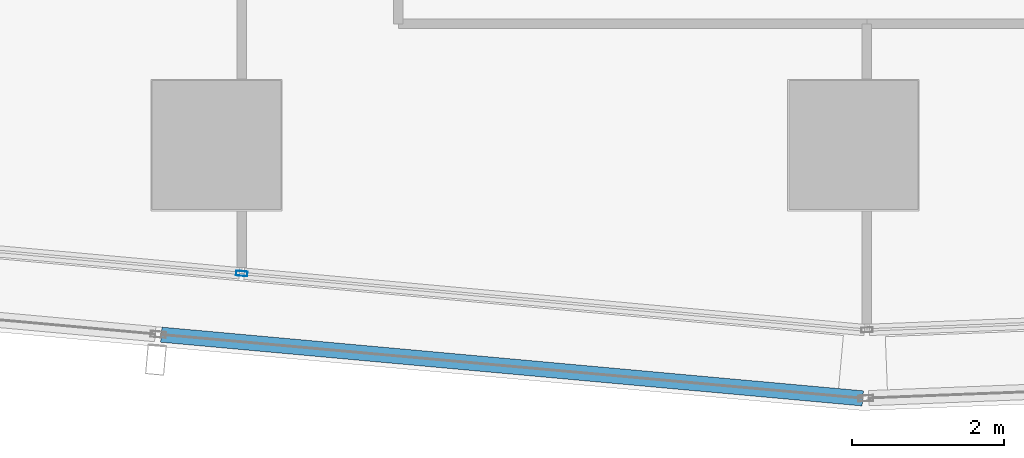
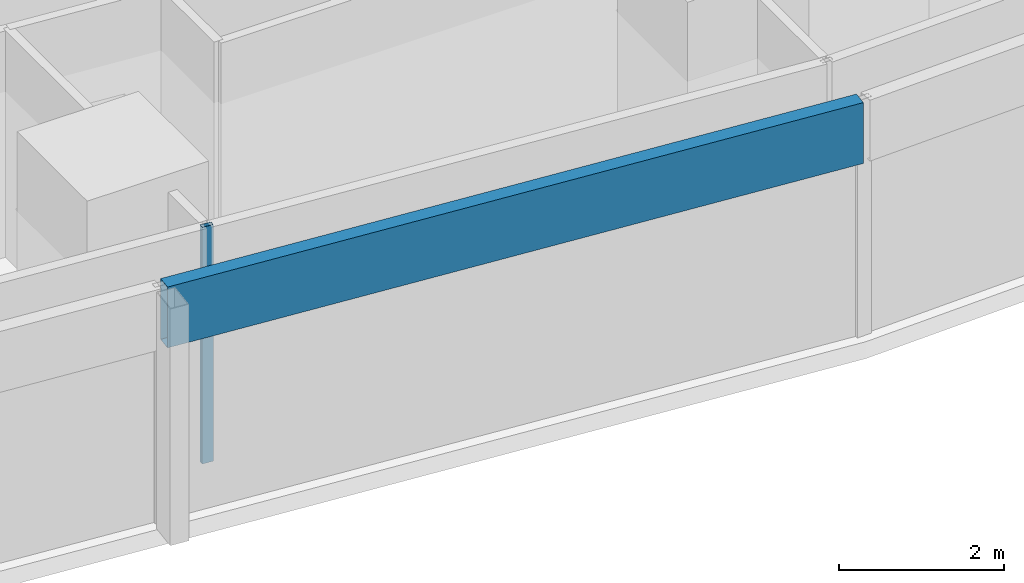
# One storey, part 3 of 40: 2 members, 2 elements without a shape of their own.
"""IFC4 building model written with IfcOpenShell, lengths in metres."""

from ifc_helpers import new_model, si_unit, direction, frame, origin, origin_2d, place, context, subcontext, project, spatial, hollow_rectangle, extrude, material, material_profile, profile_set, type_object, element, aggregate, save


model = new_model("IFC4")

# Units and contexts
model_context = context("Model", 3, precision=1e-05, world=origin(), true_north=direction((0.0, 1.0)))
body_context = subcontext(model_context, "Body", "Model", "MODEL_VIEW")
ifc_project = project(units=[si_unit("LENGTHUNIT", "METRE"), si_unit("AREAUNIT", "SQUARE_METRE"), si_unit("VOLUMEUNIT", "CUBIC_METRE"), si_unit("PLANEANGLEUNIT", "RADIAN"), si_unit("MASSUNIT", "GRAM", prefix="KILO")], contexts=[model_context])

# Site, building, storey
site_placement = place(None, origin())
site = spatial("IfcSite", under=ifc_project, at=site_placement, CompositionType="ELEMENT")
building_placement = place(site_placement, origin())
building = spatial("IfcBuilding", under=site, at=building_placement, Name="Rekha Terrace Tower", CompositionType="ELEMENT")
storey_placement = place(building_placement, frame((0.0, 0.0, 117.800048828125)))
storey = spatial("IfcBuildingStorey", under=building, at=storey_placement, Name="L29", CompositionType="ELEMENT", Elevation=117.800048828125)

# Curtain wall, member
ifc_material_1 = material(Name="Aluminium framing", Category="aluminium")
curtain_wall_type_1 = type_object("IfcCurtainWallType", Name="CW1 double skin inner glazing", PredefinedType="USERDEFINED", material=ifc_material_1)
curtain_wall_1_placement = place(storey_placement, origin())
curtain_wall_1 = element("IfcCurtainWall", 1, at=curtain_wall_1_placement, inside=storey, type_object=curtain_wall_type_1, Name="CW1 double skin inner glazing", ObjectType="DOUBLE SKIN INNER GLAZING", PredefinedType="USERDEFINED")
ifc_material_2 = material(Name="Aluminium mullion section", Category="aluminium")
ifc_material_profile_1 = material_profile(ifc_material_2, hollow_rectangle(XDim=0.06494140625, YDim=0.14990234375, WallThickness=0.00390625, at=origin_2d()), Name="AL RHS 65x150")
ifc_profile_set_1 = profile_set([ifc_material_profile_1], Name="Aluminium mullion section")
member_type_1 = type_object("IfcMemberType", Name="CW1 mullion RHS 65 x 150", PredefinedType="MULLION", material=ifc_profile_set_1)
member_1_placement = place(storey_placement, frame((17.13427734375, 15.107666015625, 0.0), z_axis=(0.0, 0.0, 1.0), x_axis=(0.090439811381, 0.995901923142, 0.0)))
member_1 = element("IfcMember", 2, at=member_1_placement, type_object=member_type_1, Name="CW1 mullion 2", PredefinedType="MULLION", context=body_context, shape_type="SweptSolid", body=[
    extrude(hollow_rectangle(XDim=0.06494140625, YDim=0.14990234375, WallThickness=0.00390625, at=origin_2d()), origin(), (0.0, 0.0, 1.0), 3.5),
])
aggregate(curtain_wall_1, [member_1])

curtain_wall_type_2 = type_object("IfcCurtainWallType", Name="CW2 double skin outer glazing", PredefinedType="USERDEFINED", material=ifc_material_1)
curtain_wall_2_placement = place(storey_placement, origin())
curtain_wall_2 = element("IfcCurtainWall", 3, at=curtain_wall_2_placement, inside=storey, type_object=curtain_wall_type_2, Name="CW2 double skin outer glazing", ObjectType="DOUBLE SKIN OUTER GLAZING", PredefinedType="USERDEFINED")
ifc_material_3 = material(Name="Insulated aluminium spandrel box", Category="aluminium")
ifc_material_profile_2 = material_profile(ifc_material_3, hollow_rectangle(XDim=0.199951171875, YDim=0.89990234375, WallThickness=0.0029296875, at=origin_2d()), Name="AL SPANDREL BOX 200x900")
ifc_profile_set_2 = profile_set([ifc_material_profile_2], Name="Insulated aluminium spandrel box")
member_type_2 = type_object("IfcMemberType", Name="CW2 spandrel transom 200 x 900", PredefinedType="USERDEFINED", material=ifc_profile_set_2)
member_2_placement = place(storey_placement, frame((16.072265625, 14.300537109375, 3.050048828125), z_axis=(0.995900527097, -0.090455182982, 0.0), x_axis=(0.090455182982, 0.995900527097, 0.0)))
member_2 = element("IfcMember", 4, at=member_2_placement, type_object=member_type_2, Name="CW2 spandrel transom 2", ObjectType="TRANSOM", PredefinedType="USERDEFINED", context=body_context, shape_type="SweptSolid", body=[
    extrude(hollow_rectangle(XDim=0.199951171875, YDim=0.89990234375, WallThickness=0.0029296875, at=origin_2d()), origin(), (0.0, 0.0, 1.0), 9.2900390625),
])
aggregate(curtain_wall_2, [member_2])

save(model, "model.ifc")
